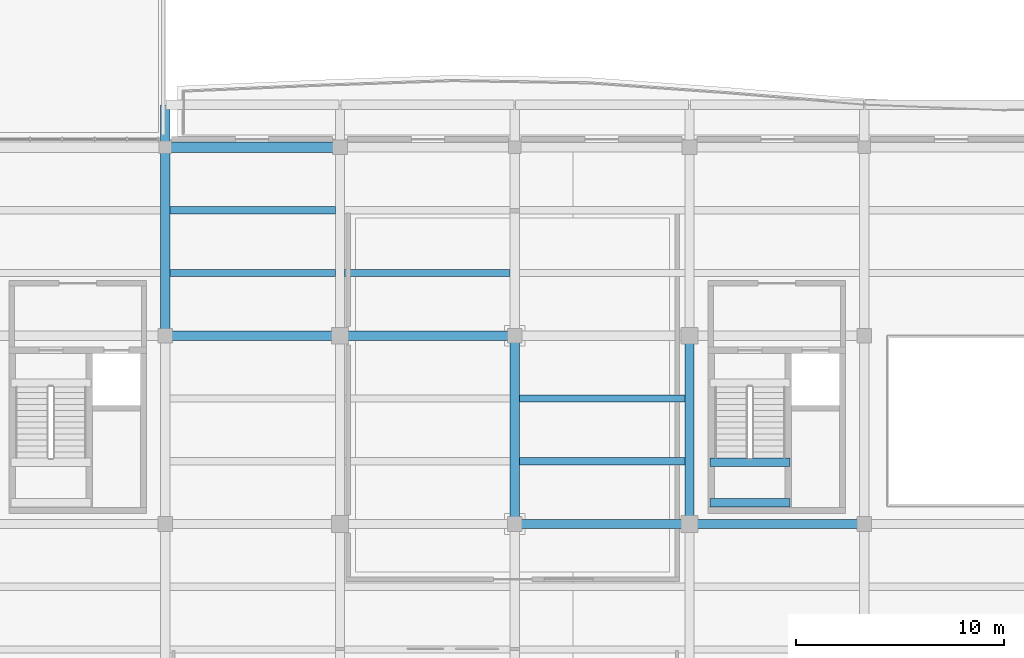
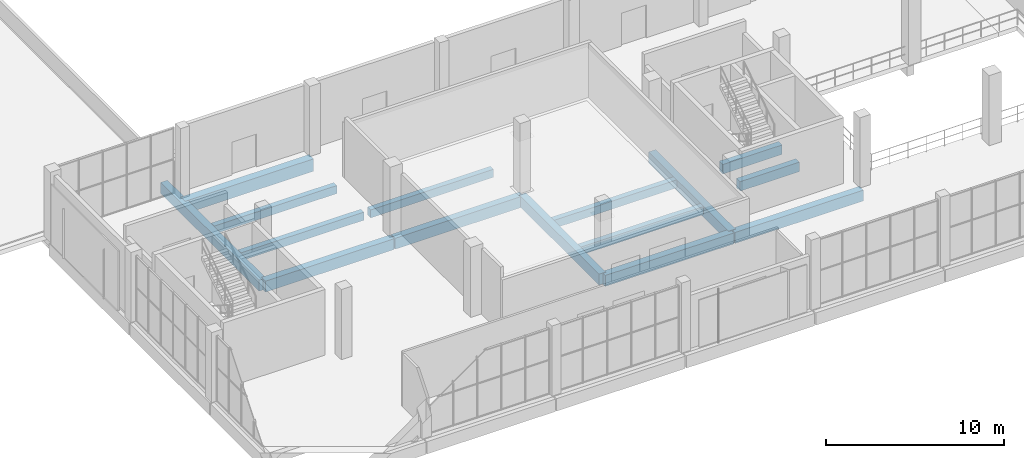
# One storey, part 10 of 80: 15 beams.
"""IFC4 building model written with IfcOpenShell, lengths in metres."""

import ifcopenshell
import ifcopenshell.guid

model = None  # the IFC model being written
_history = None  # IfcOwnerHistory: only IFC2X3 demands one
_inside = {}  # id of a spatial element -> (the spatial element, [elements in it])
_under = {}  # id of a project, library or spatial element -> (it, [spatial elements below it])
_declared = {}  # id of a project -> (the project, [libraries it declares])
_typed = {}  # id of a type object -> (the type object, [elements of that type])
_made_of = {}  # id of a material, layer set ... -> (it, [elements and type objects made of it])


def new_model(schema):
    """Start an empty IFC model of exactly this schema.

    Asked for "IFC4X3", IfcOpenShell would pick the latest addendum, in which some entities
    have other attributes; the version numbers below select the first issue.
    IFC2X3 requires an IfcOwnerHistory on every rooted entity: one is made here for all.
    """
    global model, _history
    if schema == "IFC4X3":
        model = ifcopenshell.file(schema_version=(4, 3, 0, 0))
    else:
        model = ifcopenshell.file(schema=schema)
    _inside.clear()
    _under.clear()
    _declared.clear()
    _typed.clear()
    _made_of.clear()
    _history = None
    if model.schema == "IFC2X3":
        org = make("IfcOrganization", Name="unknown")
        user = make(
            "IfcPersonAndOrganization",
            ThePerson=make("IfcPerson", FamilyName="unknown"),
            TheOrganization=org,
        )
        app = make(
            "IfcApplication",
            ApplicationDeveloper=org,
            Version="unknown",
            ApplicationFullName="unknown",
            ApplicationIdentifier="unknown",
        )
        _history = make(
            "IfcOwnerHistory",
            OwningUser=user,
            OwningApplication=app,
            ChangeAction="ADDED",
            CreationDate=0,
        )
    return model


def make(cls, **values):
    """One entity of the class cls with the attributes given. An attribute that is None is left unset."""
    return model.create_entity(
        cls, **{name: value for name, value in values.items() if value is not None}
    )


def rooted(cls, **values):
    """An entity with a GlobalId (a new one), such as an element, a storey or a relation."""
    return make(cls, GlobalId=ifcopenshell.guid.new(), OwnerHistory=_history, **values)


def si_unit(unit_type, name, prefix=None):
    """IfcSIUnit, for example si_unit("LENGTHUNIT", "METRE", prefix="MILLI")."""
    return make("IfcSIUnit", UnitType=unit_type, Prefix=prefix, Name=name)


def assignment(units):
    """IfcUnitAssignment: the units of a project."""
    return None if units is None else make("IfcUnitAssignment", Units=units)


def point(xyz):
    """IfcCartesianPoint."""
    return None if xyz is None else make("IfcCartesianPoint", Coordinates=xyz)


def direction(xyz):
    """IfcDirection."""
    return None if xyz is None else make("IfcDirection", DirectionRatios=xyz)


def frame(location, z_axis=None, x_axis=None):
    """IfcAxis2Placement3D, a coordinate frame: its origin and axes. An axis left out is left unset."""
    return make(
        "IfcAxis2Placement3D",
        Location=point(location),
        Axis=direction(z_axis),
        RefDirection=direction(x_axis),
    )


def frame_2d(location, x_axis=None):
    """IfcAxis2Placement2D, a coordinate frame in the plane: its origin and x axis."""
    return make(
        "IfcAxis2Placement2D", Location=point(location), RefDirection=direction(x_axis)
    )


def origin():
    """The frame at (0, 0, 0) with its axes left unset."""
    return frame((0.0, 0.0, 0.0))


def origin_2d():
    """The frame at (0, 0) in the plane with its x axis left unset."""
    return frame_2d((0.0, 0.0))


def place(relative_to, where):
    """IfcLocalPlacement: puts the frame where relative to a parent placement (None: the world)."""
    return make(
        "IfcLocalPlacement", PlacementRelTo=relative_to, RelativePlacement=where
    )


def context(
    kind, dimensions, precision=None, world=None, true_north=None, identifier=None
):
    """IfcGeometricRepresentationContext, for example the 3D "Model" context."""
    return make(
        "IfcGeometricRepresentationContext",
        ContextIdentifier=identifier,
        ContextType=kind,
        CoordinateSpaceDimension=dimensions,
        Precision=precision,
        WorldCoordinateSystem=world,
        TrueNorth=true_north,
    )


def subcontext(parent, identifier, kind, view, scale=None):
    """IfcGeometricRepresentationSubContext, for example "Body" below "Model"."""
    return make(
        "IfcGeometricRepresentationSubContext",
        ContextIdentifier=identifier,
        ContextType=kind,
        ParentContext=parent,
        TargetScale=scale,
        TargetView=view,
    )


def project(units=None, contexts=None):
    """IfcProject with its units and contexts."""
    return rooted(
        "IfcProject",
        Name="project",
        RepresentationContexts=contexts,
        UnitsInContext=assignment(units),
    )


def spatial(cls, under=None, at=None, **own):
    """A site, building, storey or space (cls), placed at a placement, below another one or the project."""
    s = rooted(cls, ObjectPlacement=at, **own)
    if under is not None:
        _under.setdefault(under.id(), (under, []))[1].append(s)
    return s


def profile(cls, at=None, kind="AREA", **sizes):
    """A parametric profile (cls). Its sizes go by their IFC names, for example OverallWidth=200.0."""
    return make(cls, ProfileType=kind, Position=at, **sizes)


def rectangle(**sizes):
    """IfcRectangleProfileDef."""
    return profile("IfcRectangleProfileDef", **sizes)


def extrude(swept, where, along, depth):
    """IfcExtrudedAreaSolid: the profile swept, set in the frame where, extruded along a direction by depth."""
    return make(
        "IfcExtrudedAreaSolid",
        SweptArea=swept,
        Position=where,
        ExtrudedDirection=direction(along),
        Depth=depth,
    )


def shape(context_of_items, identifier, shape_type, items):
    """IfcShapeRepresentation: the items that make up one representation, for example the "Body"."""
    return make(
        "IfcShapeRepresentation",
        ContextOfItems=context_of_items,
        RepresentationIdentifier=identifier,
        RepresentationType=shape_type,
        Items=items,
    )


def material(Name=None, Category=None):
    """IfcMaterial."""
    return make("IfcMaterial", Name=Name, Category=Category)


def material_profile(
    of_material, cross_section, Name=None, Category=None, Priority=None
):
    """IfcMaterialProfile: a cross section and its material."""
    return make(
        "IfcMaterialProfile",
        Name=Name,
        Material=of_material,
        Profile=cross_section,
        Priority=Priority,
        Category=Category,
    )


def profile_set(profiles, Name=None, composite=None):
    """IfcMaterialProfileSet."""
    return make(
        "IfcMaterialProfileSet",
        Name=Name,
        MaterialProfiles=profiles,
        CompositeProfile=composite,
    )


def made_of(thing, what):
    """Note that an element or type object is made of a material, layer set ...; save() writes the relation."""
    if what is not None:
        _made_of.setdefault(what.id(), (what, []))[1].append(thing)
    return thing


def type_object(cls, material=None, **own):
    """A type object (cls), such as IfcWallType, which elements share."""
    return made_of(rooted(cls, **own), material)


def element(
    cls,
    number,
    at=None,
    inside=None,
    cuts=None,
    type_object=None,
    material=None,
    context=None,
    identifier="Body",
    shape_type=None,
    held_by="IfcProductDefinitionShape",
    body=None,
    shapes=None,
    **own,
):
    """One element of the class cls, such as IfcWall. Its Tag is "e" and its number.

    at: its placement. inside: the storey or other place that contains it. cuts: it is an
    opening in that element (IfcRelVoidsElement). A single representation is given by context,
    identifier, shape_type and body (its items); several are given by shapes. held_by: the class
    of the entity that holds the representations. save() writes the other relations.
    """
    e = rooted(cls, Tag="e%d" % number, ObjectPlacement=at, **own)
    if body is not None:
        shapes = [shape(context, identifier, shape_type, body)]
    if shapes is not None:
        e.Representation = make(held_by, Representations=shapes)
    if inside is not None:
        _inside.setdefault(inside.id(), (inside, []))[1].append(e)
    if cuts is not None:
        rooted(
            "IfcRelVoidsElement", RelatingBuildingElement=cuts, RelatedOpeningElement=e
        )
    if type_object is not None:
        _typed.setdefault(type_object.id(), (type_object, []))[1].append(e)
    return made_of(e, material)


def aggregate(whole, parts):
    """IfcRelAggregates: a whole, such as a stair, and the parts it consists of."""
    return rooted("IfcRelAggregates", RelatingObject=whole, RelatedObjects=parts)


def save(model, path):
    """Write the relations noted so far, then the file.

    IfcRelAggregates (storeys below a building ...), IfcRelContainedInSpatialStructure (elements
    in a storey), IfcRelDefinesByType, IfcRelAssociatesMaterial and IfcRelDeclares: one each for
    every whole, place, type object, material and project.
    """
    for whole, parts in _under.values():
        aggregate(whole, parts)
    for where, things in _inside.values():
        rooted(
            "IfcRelContainedInSpatialStructure",
            RelatedElements=things,
            RelatingStructure=where,
        )
    for kind, things in _typed.values():
        rooted("IfcRelDefinesByType", RelatedObjects=things, RelatingType=kind)
    for what, things in _made_of.values():
        rooted("IfcRelAssociatesMaterial", RelatedObjects=things, RelatingMaterial=what)
    for by, libraries in _declared.values():
        rooted("IfcRelDeclares", RelatingContext=by, RelatedDefinitions=libraries)
    model.write(path)


model = new_model("IFC4")

# Units and contexts
model_context = context("Model", 3, precision=1e-05, world=origin(), true_north=direction((0.0, 1.0)))
body_context = subcontext(model_context, "Body", "Model", "MODEL_VIEW")
ifc_project = project(units=[si_unit("LENGTHUNIT", "METRE"), si_unit("AREAUNIT", "SQUARE_METRE"), si_unit("VOLUMEUNIT", "CUBIC_METRE"), si_unit("PLANEANGLEUNIT", "RADIAN"), si_unit("MASSUNIT", "GRAM", prefix="KILO")], contexts=[model_context])

# Site, building, storey
site_placement = place(None, origin())
site = spatial("IfcSite", under=ifc_project, at=site_placement, CompositionType="ELEMENT")
building_placement = place(site_placement, origin())
building = spatial("IfcBuilding", under=site, at=building_placement, Name="Khurvash Pelagic Aquarium", CompositionType="ELEMENT")
storey_placement = place(building_placement, frame((0.0, 0.0, 10.800048828125)))
storey = spatial("IfcBuildingStorey", under=building, at=storey_placement, Name="L02", CompositionType="ELEMENT", Elevation=10.800048828125)

# Beams
ifc_material_1 = material(Name="Concrete C35/45", Category="concrete")
ifc_material_profile_1 = material_profile(ifc_material_1, rectangle(XDim=0.449951171875, YDim=0.75, at=origin_2d()), Name="RC450X750")
ifc_profile_set_1 = profile_set([ifc_material_profile_1], Name="Concrete C35/45")
beam_type_1 = type_object("IfcBeamType", Name="BM-04", PredefinedType="BEAM", material=ifc_profile_set_1)
beam_1_placement = place(storey_placement, frame((50.43994140625, 11.64990234375, -0.695068359375), z_axis=(1.0, 0.0, 0.0), x_axis=(0.0, 1.0, 0.0)))
element("IfcBeam", 1, at=beam_1_placement, inside=storey, type_object=beam_type_1, Name="L02 Primary Girder BM-04 00575", PredefinedType="BEAM", context=body_context, shape_type="SweptSolid", body=[
    extrude(rectangle(XDim=0.449951171875, YDim=0.75, at=origin_2d()), origin(), (0.0, 0.0, 1.0), 8.320068359375),
])
beam_2_placement = place(storey_placement, frame((58.840087890625, 11.64990234375, -0.695068359375), z_axis=(1.0, 0.0, 0.0), x_axis=(0.0, 1.0, 0.0)))
element("IfcBeam", 2, at=beam_2_placement, inside=storey, type_object=beam_type_1, Name="L02 Primary Girder BM-04 00576", PredefinedType="BEAM", context=body_context, shape_type="SweptSolid", body=[
    extrude(rectangle(XDim=0.449951171875, YDim=0.75, at=origin_2d()), origin(), (0.0, 0.0, 1.0), 8.31982421875),
])
for number, where, z_axis, x_axis, name in (
    (3, (33.639892578125, 20.699951171875, -0.695068359375), (1.0, 0.0, 0.0), (0.0, 1.0, 0.0), "L02 Primary Girder BM-04 00583"),
    (4, (42.0400390625, 20.699951171875, -0.695068359375), (1.0, 0.0, 0.0), (0.0, 1.0, 0.0), "L02 Primary Girder BM-04 00584"),
):
    element("IfcBeam", number, at=place(storey_placement, frame(where, z_axis=z_axis, x_axis=x_axis)), inside=storey, type_object=beam_type_1, Name=name, PredefinedType="BEAM", context=body_context, shape_type="SweptSolid", body=[
        extrude(rectangle(XDim=0.449951171875, YDim=0.75, at=origin_2d()), origin(), (0.0, 0.0, 1.0), 8.320068359375),
    ])
beam_3_placement = place(storey_placement, frame((33.60009765625, 20.739990234375, -0.695068359375), z_axis=(0.0, 1.0, 0.0), x_axis=(-1.0, 0.0, 0.0)))
element("IfcBeam", 5, at=beam_3_placement, inside=storey, type_object=beam_type_1, Name="L02 Primary Girder BM-04 00667", PredefinedType="BEAM", context=body_context, shape_type="SweptSolid", body=[
    extrude(rectangle(XDim=0.449951171875, YDim=0.75, at=origin_2d()), origin(), (0.0, 0.0, 1.0), 11.06005859375),
])
for number, where, z_axis, x_axis, name in (
    (6, (50.39990234375, 11.68994140625, -0.675048828125), (0.0, 1.0, 0.0), (-1.0, 0.0, 0.0), "L02 Primary Girder BM-04 00678"),
    (7, (58.800048828125, 11.68994140625, -0.675048828125), (0.0, 1.0, 0.0), (-1.0, 0.0, 0.0), "L02 Primary Girder BM-04 00682"),
):
    element("IfcBeam", number, at=place(storey_placement, frame(where, z_axis=z_axis, x_axis=x_axis)), inside=storey, type_object=beam_type_1, Name=name, PredefinedType="BEAM", context=body_context, shape_type="SweptSolid", body=[
        extrude(rectangle(XDim=0.449951171875, YDim=0.75, at=origin_2d()), origin(), (0.0, 0.0, 1.0), 8.969970703125),
    ])
ifc_material_profile_2 = material_profile(ifc_material_1, rectangle(XDim=0.39990234375, YDim=0.64990234375, at=origin_2d()), Name="RC400X650")
ifc_profile_set_2 = profile_set([ifc_material_profile_2], Name="Concrete C35/45")
beam_type_2 = type_object("IfcBeamType", Name="BM-05", PredefinedType="BEAM", material=ifc_profile_set_2)
for number, where, z_axis, x_axis, name in (
    (8, (59.780029296875, 12.669921875, 1.875), (1.0, 0.0, 0.0), (0.0, 1.0, 0.0), "L02 Stair ST-02 Mid-Landing Trimmer Beam BM-05"),
    (9, (59.780029296875, 14.610107421875, 1.875), (1.0, 0.0, 0.0), (0.0, 1.0, 0.0), "L02 Stair ST-02 Mid-Landing Trimmer Beam BM-05"),
):
    element("IfcBeam", number, at=place(storey_placement, frame(where, z_axis=z_axis, x_axis=x_axis)), inside=storey, type_object=beam_type_2, Name=name, PredefinedType="BEAM", context=body_context, shape_type="SweptSolid", body=[
        extrude(rectangle(XDim=0.39990234375, YDim=0.64990234375, at=origin_2d()), origin(), (0.0, 0.0, 1.0), 3.840087890625),
    ])
ifc_material_profile_3 = material_profile(ifc_material_1, rectangle(XDim=0.35009765625, YDim=0.550048828125, at=origin_2d()), Name="RC350X550")
ifc_profile_set_3 = profile_set([ifc_material_profile_3], Name="Concrete C35/45")
beam_type_3 = type_object("IfcBeamType", Name="JS-01", PredefinedType="JOIST", material=ifc_profile_set_3)
for number, where, z_axis, x_axis, name in (
    (10, (33.824951171875, 23.717041015625, -0.574951171875), (1.0, 0.0, 0.0), (0.0, 1.0, 0.0), "L02 Floor Joist JS-01 00753"),
    (11, (33.824951171875, 26.73291015625, -0.574951171875), (1.0, 0.0, 0.0), (0.0, 1.0, 0.0), "L02 Floor Joist JS-01 00754"),
    (12, (42.22509765625, 23.717041015625, -0.574951171875), (1.0, 0.0, 0.0), (0.0, 1.0, 0.0), "L02 Floor Joist JS-01 00761"),
    (13, (50.625, 14.6669921875, -0.574951171875), (1.0, 0.0, 0.0), (0.0, 1.0, 0.0), "L02 Floor Joist JS-01 00767"),
    (14, (50.625, 17.68310546875, -0.574951171875), (1.0, 0.0, 0.0), (0.0, 1.0, 0.0), "L02 Floor Joist JS-01 00768"),
):
    element("IfcBeam", number, at=place(storey_placement, frame(where, z_axis=z_axis, x_axis=x_axis)), inside=storey, type_object=beam_type_3, Name=name, PredefinedType="JOIST", context=body_context, shape_type="SweptSolid", body=[
        extrude(rectangle(XDim=0.35009765625, YDim=0.550048828125, at=origin_2d()), origin(), (0.0, 0.0, 1.0), 7.949951171875),
    ])
ifc_material_2 = material(Name="Concrete C40/50", Category="concrete")
ifc_material_profile_4 = material_profile(ifc_material_2, rectangle(XDim=0.5, YDim=0.85009765625, at=origin_2d()), Name="RC500X850")
ifc_profile_set_4 = profile_set([ifc_material_profile_4], Name="Concrete C40/50")
beam_type_4 = type_object("IfcBeamType", Name="SEB-03", PredefinedType="SPANDREL", material=ifc_profile_set_4)
beam_4_placement = place(storey_placement, frame((33.639892578125, 29.75, -0.7451171875), z_axis=(1.0, 0.0, 0.0), x_axis=(0.0, 1.0, 0.0)))
element("IfcBeam", 15, at=beam_4_placement, inside=storey, type_object=beam_type_4, Name="L02 Primary Girder SEB-03 00592", PredefinedType="SPANDREL", context=body_context, shape_type="SweptSolid", body=[
    extrude(rectangle(XDim=0.5, YDim=0.85009765625, at=origin_2d()), origin(), (0.0, 0.0, 1.0), 8.320068359375),
])

save(model, "model.ifc")
